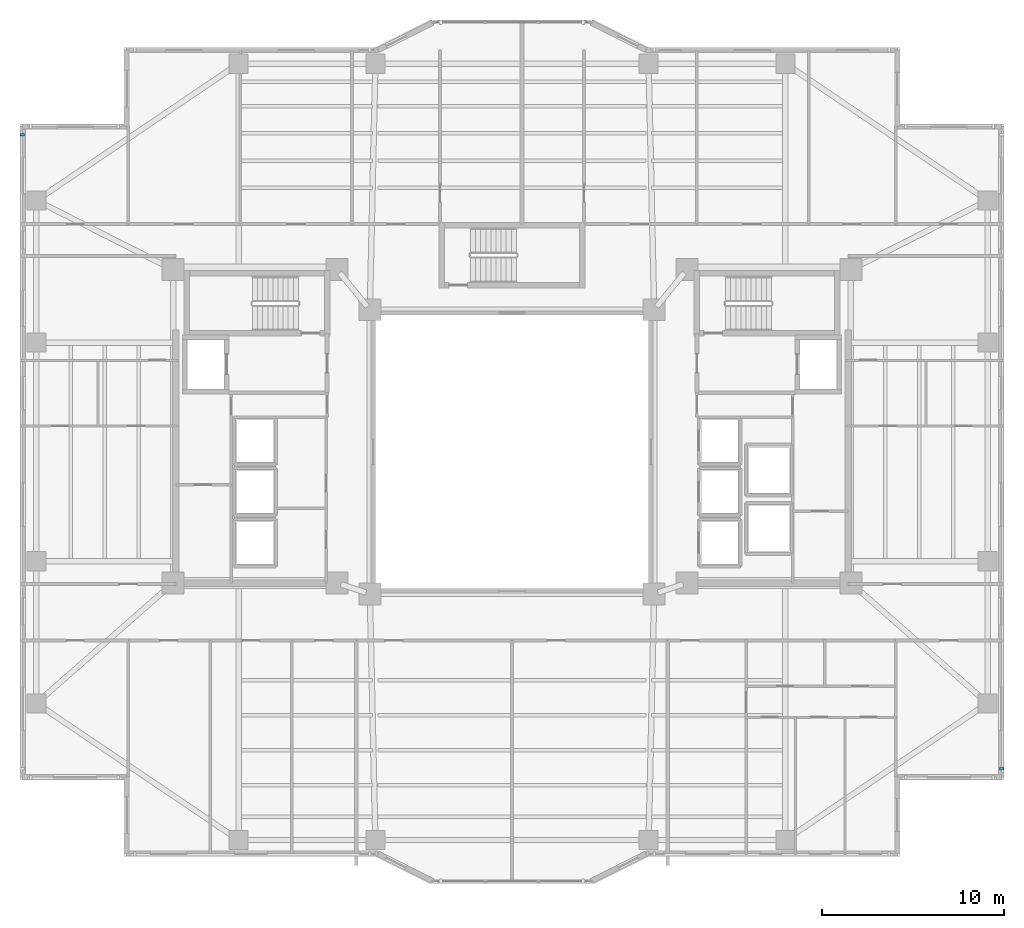
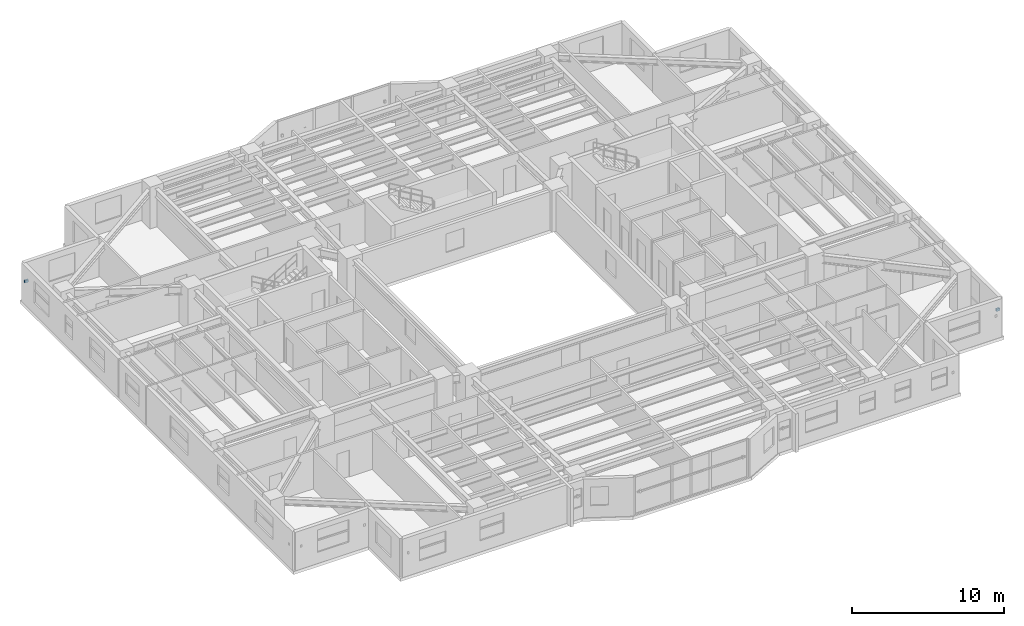
# One storey, part 12 of 18: 2 discrete accessories.
"""IFC4 building model written with IfcOpenShell, lengths in metres."""

from ifc_helpers import new_model, si_unit, direction, frame, origin, origin_2d, place, context, subcontext, project, spatial, rectangle, extrude, material, type_object, element, save


model = new_model("IFC4")

# Units and contexts
model_context = context("Model", 3, precision=1e-05, world=origin(), true_north=direction((0.0, 1.0)))
body_context = subcontext(model_context, "Body", "Model", "MODEL_VIEW")
ifc_project = project(units=[si_unit("LENGTHUNIT", "METRE"), si_unit("AREAUNIT", "SQUARE_METRE"), si_unit("VOLUMEUNIT", "CUBIC_METRE"), si_unit("PLANEANGLEUNIT", "RADIAN"), si_unit("MASSUNIT", "GRAM", prefix="KILO")], contexts=[model_context])

# Site, building, storey
site_placement = place(None, origin())
site = spatial("IfcSite", under=ifc_project, at=site_placement, CompositionType="ELEMENT")
building_placement = place(site_placement, origin())
building = spatial("IfcBuilding", under=site, at=building_placement, Name="Tarnavaz Court Tower", CompositionType="ELEMENT")
storey_placement = place(building_placement, frame((0.0, 0.0, 108.449951171875)))
storey = spatial("IfcBuildingStorey", under=building, at=storey_placement, Name="L29", CompositionType="ELEMENT", Elevation=108.449951171875)

# Discrete accessories
ifc_material = material(Name="Anodised Aluminium 6063-T6", Category="aluminium")
discrete_accessory_type = type_object("IfcDiscreteAccessoryType", Name="DA-BRKT-ALU", PredefinedType="BRACKET", material=ifc_material)
for number, where, z_axis, x_axis, name in (
    (1, (-26.8701171875, 17.39990234375, 1.75), (0.0, 0.0, 1.0), (0.0, 1.0, 0.0), "L29 Baguette Outrigger Bracket FBG02-2"),
    (2, (26.8701171875, -17.39990234375, 1.75), (0.0, 0.0, 1.0), (0.0, -1.0, 0.0), "L29 Baguette Outrigger Bracket FBG12-2"),
):
    element("IfcDiscreteAccessory", number, at=place(storey_placement, frame(where, z_axis=z_axis, x_axis=x_axis)), inside=storey, type_object=discrete_accessory_type, Name=name, PredefinedType="BRACKET", context=body_context, shape_type="SweptSolid", body=[
        extrude(rectangle(XDim=0.139892578125, YDim=0.239990234375, at=origin_2d()), origin(), (0.0, 0.0, 1.0), 0.199951171875),
    ])

save(model, "model.ifc")
